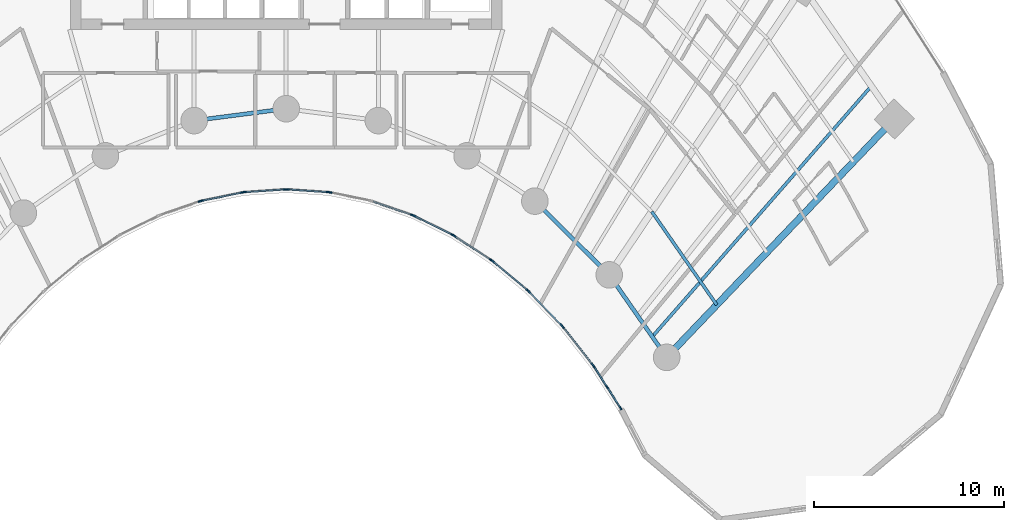
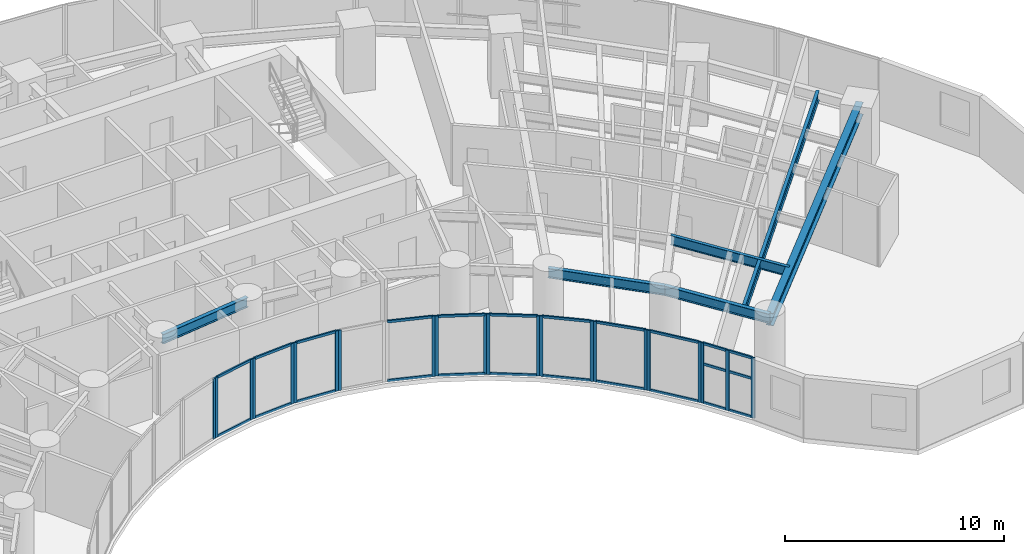
# One storey, part 4 of 17: 46 members, 6 beams, 12 elements without a shape of their own.
"""IFC4 building model written with IfcOpenShell, lengths in metres."""

from ifc_helpers import new_model, si_unit, direction, frame, origin, origin_2d, place, context, subcontext, project, spatial, rectangle, i_section, extrude, source, transform, mapped, material, layer, layer_set, material_profile, profile_set, type_object, type_shapes, element, aggregate, save


model = new_model("IFC4")

# Units and contexts
model_context = context("Model", 3, precision=1e-05, world=origin(), true_north=direction((0.0, 1.0)))
body_context = subcontext(model_context, "Body", "Model", "MODEL_VIEW")
ifc_project = project(units=[si_unit("LENGTHUNIT", "METRE"), si_unit("AREAUNIT", "SQUARE_METRE"), si_unit("VOLUMEUNIT", "CUBIC_METRE"), si_unit("PLANEANGLEUNIT", "RADIAN"), si_unit("MASSUNIT", "GRAM", prefix="KILO")], contexts=[model_context])

# Site, building, storey
site_placement = place(None, origin())
site = spatial("IfcSite", under=ifc_project, at=site_placement, CompositionType="ELEMENT")
building_placement = place(site_placement, origin())
building = spatial("IfcBuilding", under=site, at=building_placement, Name="Breltana Convention Tower", CompositionType="ELEMENT")
storey_placement = place(building_placement, frame((0.0, 0.0, 57.0)))
storey = spatial("IfcBuildingStorey", under=building, at=storey_placement, Name="L12", CompositionType="ELEMENT", Elevation=57.0)

# Beams
ifc_material_1 = material(Name="Steel ASTM A992 Grade 50", Category="steel")
ifc_material_profile_1 = material_profile(ifc_material_1, i_section(OverallWidth=0.35498046875, OverallDepth=0.696044921875, WebThickness=0.015380859375, FlangeThickness=0.02490234375, at=origin_2d()), Name="W27X146")
ifc_profile_set_1 = profile_set([ifc_material_profile_1], Name="Steel ASTM A992 Grade 50")
beam_type_1 = type_object("IfcBeamType", Name="BM-RG-W27X146", PredefinedType="USERDEFINED", material=ifc_profile_set_1)
shared_shape_1 = source(origin(), body_context, "Body", "SweptSolid", [
    extrude(i_section(OverallWidth=0.35498046875, OverallDepth=0.696044921875, WebThickness=0.015380859375, FlangeThickness=0.02490234375, at=origin_2d()), origin(), (0.0, 0.0, 1.0), 17.341064453125),
])
type_shapes(beam_type_1, [shared_shape_1])
beam_1_placement = place(storey_placement, frame((68.015380859375, 42.95458984375, 3.011962890625), z_axis=(0.690716462293, 0.723125693581, 0.0), x_axis=(-0.723125693581, 0.690716462293, 0.0)))
element("IfcBeam", 1, at=beam_1_placement, inside=storey, type_object=beam_type_1, Name="L12 Radial Floor Girder R11", ObjectType="GIRDER", PredefinedType="USERDEFINED", context=body_context, shape_type="MappedRepresentation", body=[
    mapped(shared_shape_1, transform((0.0, 0.0, 0.0), scale=1.0)),
])
ifc_material_profile_2 = material_profile(ifc_material_1, i_section(OverallWidth=0.2099609375, OverallDepth=0.537109375, WebThickness=0.010986328125, FlangeThickness=0.017333984375, at=origin_2d()), Name="W21X68")
ifc_profile_set_2 = profile_set([ifc_material_profile_2], Name="Steel ASTM A992 Grade 50")
beam_type_2 = type_object("IfcBeamType", Name="BM-BM-W21X68", PredefinedType="BEAM", material=ifc_profile_set_2)
shared_shape_2 = source(origin(), body_context, "Body", "SweptSolid", [
    extrude(i_section(OverallWidth=0.2099609375, OverallDepth=0.537109375, WebThickness=0.010986328125, FlangeThickness=0.017333984375, at=origin_2d()), origin(), (0.0, 0.0, 1.0), 4.88671875),
])
beam_2_placement = place(storey_placement, frame((43.153564453125, 55.41064453125, 3.091552734375), z_axis=(0.991780525565, 0.127950729231, 0.0), x_axis=(-0.127950729231, 0.991780525565, 0.0)))
element("IfcBeam", 2, at=beam_2_placement, inside=storey, type_object=beam_type_2, Name="L12 Inner Ring Beam 05", PredefinedType="BEAM", context=body_context, shape_type="MappedRepresentation", body=[
    mapped(shared_shape_2, transform((0.0, 0.0, 0.0), scale=1.0)),
])
shared_shape_3 = source(origin(), body_context, "Body", "SweptSolid", [
    extrude(i_section(OverallWidth=0.2099609375, OverallDepth=0.537109375, WebThickness=0.010986328125, FlangeThickness=0.017333984375, at=origin_2d()), origin(), (0.0, 0.0, 1.0), 5.51171875),
])
beam_3_placement = place(storey_placement, frame((61.08203125, 51.174560546875, 3.091552734375), z_axis=(0.710090360749, -0.704110559196, 0.0), x_axis=(0.704110559196, 0.710090360749, 0.0)))
element("IfcBeam", 3, at=beam_3_placement, inside=storey, type_object=beam_type_2, Name="L12 Inner Ring Beam 09", PredefinedType="BEAM", context=body_context, shape_type="MappedRepresentation", body=[
    mapped(shared_shape_3, transform((0.0, 0.0, 0.0), scale=1.0)),
])
shared_shape_4 = source(origin(), body_context, "Body", "SweptSolid", [
    extrude(i_section(OverallWidth=0.2099609375, OverallDepth=0.537109375, WebThickness=0.010986328125, FlangeThickness=0.017333984375, at=origin_2d()), origin(), (0.0, 0.0, 1.0), 5.286376953125),
])
beam_4_placement = place(storey_placement, frame((64.995849609375, 47.293701171875, 3.091552734375), z_axis=(0.571194382458, -0.82081482531, 0.0), x_axis=(0.82081482531, 0.571194382458, 0.0)))
element("IfcBeam", 4, at=beam_4_placement, inside=storey, type_object=beam_type_2, Name="L12 Inner Ring Beam 10", PredefinedType="BEAM", context=body_context, shape_type="MappedRepresentation", body=[
    mapped(shared_shape_4, transform((0.0, 0.0, 0.0), scale=1.0)),
])
ifc_material_profile_3 = material_profile(ifc_material_1, i_section(OverallWidth=0.166015625, OverallDepth=0.534912109375, WebThickness=0.01025390625, FlangeThickness=0.0166015625, at=origin_2d()), Name="W21X57")
ifc_profile_set_3 = profile_set([ifc_material_profile_3], Name="Steel ASTM A992 Grade 50")
beam_type_3 = type_object("IfcBeamType", Name="BM-JSG-05", PredefinedType="JOIST", material=ifc_profile_set_3)
shared_shape_5 = source(origin(), body_context, "Body", "SweptSolid", [
    extrude(i_section(OverallWidth=0.166015625, OverallDepth=0.534912109375, WebThickness=0.01025390625, FlangeThickness=0.0166015625, at=origin_2d()), origin(), (0.0, 0.0, 1.0), 5.982421875),
])
beam_5_placement = place(storey_placement, frame((67.2333984375, 50.623779296875, 3.092529296875), z_axis=(0.571211549446, -0.82080287876, 0.0), x_axis=(0.82080287876, 0.571211549446, 0.0)))
element("IfcBeam", 5, at=beam_5_placement, inside=storey, type_object=beam_type_3, Name="L12 Composite Floor Joist 10.1", PredefinedType="JOIST", context=body_context, shape_type="MappedRepresentation", body=[
    mapped(shared_shape_5, transform((0.0, 0.0, 0.0), scale=1.0)),
])
shared_shape_6 = source(origin(), body_context, "Body", "SweptSolid", [
    extrude(i_section(OverallWidth=0.166015625, OverallDepth=0.534912109375, WebThickness=0.01025390625, FlangeThickness=0.0166015625, at=origin_2d()), origin(), (0.0, 0.0, 1.0), 17.515625),
])
beam_6_placement = place(storey_placement, frame((67.260498046875, 44.03955078125, 3.092529296875), z_axis=(0.658051548324, 0.752972881151, 0.0), x_axis=(-0.752972881151, 0.658051548324, 0.0)))
element("IfcBeam", 6, at=beam_6_placement, inside=storey, type_object=beam_type_3, Name="L12 Quarter-Bay Radial Trimmer 10", PredefinedType="JOIST", context=body_context, shape_type="MappedRepresentation", body=[
    mapped(shared_shape_6, transform((0.0, 0.0, 0.0), scale=1.0)),
])

# Curtain wall, members
ifc_material_2 = material(Name="Aluminium Anodised Bronze Frame", Category="aluminium")
ifc_layer = layer(ifc_material_2, 0.18994140625, Name="Aluminium Anodised Bronze Frame")
ifc_layer_set = layer_set([ifc_layer], Name="Aluminium Anodised Bronze Frame")
curtain_wall_type = type_object("IfcCurtainWallType", Name="CW-SYS-1", PredefinedType="NOTDEFINED", material=ifc_layer_set)
curtain_wall_1_placement = place(storey_placement, origin())
curtain_wall_1 = element("IfcCurtainWall", 7, at=curtain_wall_1_placement, inside=storey, type_object=curtain_wall_type, Name="L12 inner south-court glazing 3", PredefinedType="NOTDEFINED")
ifc_material_3 = material(Name="Aluminium Anodised Bronze", Category="aluminium")
ifc_material_profile_4 = material_profile(ifc_material_3, rectangle(XDim=0.080078125, YDim=0.139892578125, at=origin_2d()), Name="CWT-80X140")
ifc_profile_set_4 = profile_set([ifc_material_profile_4], Name="Aluminium Anodised Bronze")
member_type_1 = type_object("IfcMemberType", Name="CWT-140", PredefinedType="USERDEFINED", material=ifc_profile_set_4)
shared_shape_7 = source(origin(), body_context, "Body", "SweptSolid", [
    extrude(rectangle(XDim=0.080078125, YDim=0.139892578125, at=origin_2d()), origin(), (0.0, 0.0, 1.0), 2.38720703125),
])
type_shapes(member_type_1, [shared_shape_7])
member_1_placement = place(storey_placement, frame((62.4560546875, 44.667724609375, 0.0400390625), z_axis=(-0.694623715393, 0.719373264734, 0.0), x_axis=(-0.719373264734, -0.694623715393, 0.0)))
member_1 = element("IfcMember", 8, at=member_1_placement, type_object=member_type_1, Name="CW-01 transom 1.1", ObjectType="TRANSOM", PredefinedType="USERDEFINED", context=body_context, shape_type="MappedRepresentation", body=[
    mapped(shared_shape_7, transform((0.0, 0.0, 0.0), scale=1.0)),
])
member_2_placement = place(storey_placement, frame((62.4560546875, 44.667724609375, 3.320068359375), z_axis=(-0.694623715393, 0.719373264734, 0.0), x_axis=(-0.719373264734, -0.694623715393, 0.0)))
member_2 = element("IfcMember", 9, at=member_2_placement, type_object=member_type_1, Name="CW-01 transom 1.2", ObjectType="TRANSOM", PredefinedType="USERDEFINED", context=body_context, shape_type="MappedRepresentation", body=[
    mapped(shared_shape_7, transform((0.0, 0.0, 0.0), scale=1.0)),
])

curtain_wall_2_placement = place(storey_placement, origin())
curtain_wall_2 = element("IfcCurtainWall", 10, at=curtain_wall_2_placement, inside=storey, type_object=curtain_wall_type, Name="L12 inner south-court glazing 4", PredefinedType="NOTDEFINED")
shared_shape_8 = source(origin(), body_context, "Body", "SweptSolid", [
    extrude(rectangle(XDim=0.080078125, YDim=0.139892578125, at=origin_2d()), origin(), (0.0, 0.0, 1.0), 2.312255859375),
])
member_3_placement = place(storey_placement, frame((60.666748046875, 46.5068359375, 0.0400390625), z_axis=(-0.767900974507, 0.640568570374, 0.0), x_axis=(-0.640568570374, -0.767900974507, 0.0)))
member_3 = element("IfcMember", 11, at=member_3_placement, type_object=member_type_1, Name="CW-01 transom 1.1", ObjectType="TRANSOM", PredefinedType="USERDEFINED", context=body_context, shape_type="MappedRepresentation", body=[
    mapped(shared_shape_8, transform((0.0, 0.0, 0.0), scale=1.0)),
])
member_4_placement = place(storey_placement, frame((60.666748046875, 46.5068359375, 3.320068359375), z_axis=(-0.767900974507, 0.640568570374, 0.0), x_axis=(-0.640568570374, -0.767900974507, 0.0)))
member_4 = element("IfcMember", 12, at=member_4_placement, type_object=member_type_1, Name="CW-01 transom 1.2", ObjectType="TRANSOM", PredefinedType="USERDEFINED", context=body_context, shape_type="MappedRepresentation", body=[
    mapped(shared_shape_8, transform((0.0, 0.0, 0.0), scale=1.0)),
])

curtain_wall_3_placement = place(storey_placement, origin())
curtain_wall_3 = element("IfcCurtainWall", 13, at=curtain_wall_3_placement, inside=storey, type_object=curtain_wall_type, Name="L12 inner south-court glazing 5", PredefinedType="NOTDEFINED")
shared_shape_9 = source(origin(), body_context, "Body", "SweptSolid", [
    extrude(rectangle(XDim=0.080078125, YDim=0.139892578125, at=origin_2d()), origin(), (0.0, 0.0, 1.0), 2.2421875),
])
member_5_placement = place(storey_placement, frame((58.746337890625, 48.095458984375, 0.0400390625), z_axis=(-0.835982353773, 0.548756324957, 0.0), x_axis=(-0.548756324957, -0.835982353773, 0.0)))
member_5 = element("IfcMember", 14, at=member_5_placement, type_object=member_type_1, Name="CW-01 transom 1.1", ObjectType="TRANSOM", PredefinedType="USERDEFINED", context=body_context, shape_type="MappedRepresentation", body=[
    mapped(shared_shape_9, transform((0.0, 0.0, 0.0), scale=1.0)),
])
member_6_placement = place(storey_placement, frame((58.746337890625, 48.095458984375, 3.320068359375), z_axis=(-0.835982353773, 0.548756324957, 0.0), x_axis=(-0.548756324957, -0.835982353773, 0.0)))
member_6 = element("IfcMember", 15, at=member_6_placement, type_object=member_type_1, Name="CW-01 transom 1.2", ObjectType="TRANSOM", PredefinedType="USERDEFINED", context=body_context, shape_type="MappedRepresentation", body=[
    mapped(shared_shape_9, transform((0.0, 0.0, 0.0), scale=1.0)),
])

curtain_wall_4_placement = place(storey_placement, origin())
curtain_wall_4 = element("IfcCurtainWall", 16, at=curtain_wall_4_placement, inside=storey, type_object=curtain_wall_type, Name="L12 inner south-court glazing 6", PredefinedType="NOTDEFINED")
shared_shape_10 = source(origin(), body_context, "Body", "SweptSolid", [
    extrude(rectangle(XDim=0.080078125, YDim=0.139892578125, at=origin_2d()), origin(), (0.0, 0.0, 1.0), 2.180908203125),
])
member_7_placement = place(storey_placement, frame((56.71435546875, 49.416015625, 0.0400390625), z_axis=(-0.895922266369, 0.444210865045, 0.0), x_axis=(-0.444210865045, -0.895922266369, 0.0)))
member_7 = element("IfcMember", 17, at=member_7_placement, type_object=member_type_1, Name="CW-01 transom 1.1", ObjectType="TRANSOM", PredefinedType="USERDEFINED", context=body_context, shape_type="MappedRepresentation", body=[
    mapped(shared_shape_10, transform((0.0, 0.0, 0.0), scale=1.0)),
])
member_8_placement = place(storey_placement, frame((56.71435546875, 49.416015625, 3.320068359375), z_axis=(-0.895922266369, 0.444210865045, 0.0), x_axis=(-0.444210865045, -0.895922266369, 0.0)))
member_8 = element("IfcMember", 18, at=member_8_placement, type_object=member_type_1, Name="CW-01 transom 1.2", ObjectType="TRANSOM", PredefinedType="USERDEFINED", context=body_context, shape_type="MappedRepresentation", body=[
    mapped(shared_shape_10, transform((0.0, 0.0, 0.0), scale=1.0)),
])

curtain_wall_5_placement = place(storey_placement, origin())
curtain_wall_5 = element("IfcCurtainWall", 19, at=curtain_wall_5_placement, inside=storey, type_object=curtain_wall_type, Name="L12 inner south-court glazing 9", PredefinedType="NOTDEFINED")
shared_shape_11 = source(origin(), body_context, "Body", "SweptSolid", [
    extrude(rectangle(XDim=0.080078125, YDim=0.139892578125, at=origin_2d()), origin(), (0.0, 0.0, 1.0), 2.07861328125),
])
member_9_placement = place(storey_placement, frame((50.165771484375, 51.6474609375, 0.0400390625), z_axis=(-0.997708627147, 0.067657189691, 0.0), x_axis=(-0.067657189691, -0.997708627147, 0.0)))
member_9 = element("IfcMember", 20, at=member_9_placement, type_object=member_type_1, Name="CW-01 transom 1.1", ObjectType="TRANSOM", PredefinedType="USERDEFINED", context=body_context, shape_type="MappedRepresentation", body=[
    mapped(shared_shape_11, transform((0.0, 0.0, 0.0), scale=1.0)),
])
member_10_placement = place(storey_placement, frame((50.165771484375, 51.6474609375, 3.320068359375), z_axis=(-0.997708627147, 0.067657189691, 0.0), x_axis=(-0.067657189691, -0.997708627147, 0.0)))
member_10 = element("IfcMember", 21, at=member_10_placement, type_object=member_type_1, Name="CW-01 transom 1.2", ObjectType="TRANSOM", PredefinedType="USERDEFINED", context=body_context, shape_type="MappedRepresentation", body=[
    mapped(shared_shape_11, transform((0.0, 0.0, 0.0), scale=1.0)),
])

curtain_wall_6_placement = place(storey_placement, origin())
curtain_wall_6 = element("IfcCurtainWall", 22, at=curtain_wall_6_placement, inside=storey, type_object=curtain_wall_type, Name="L12 inner south-court glazing 10", PredefinedType="NOTDEFINED")
member_11_placement = place(storey_placement, frame((47.907958984375, 51.7880859375, 0.0400390625), z_axis=(-0.997708627147, -0.067657189691, 0.0), x_axis=(0.067657189691, -0.997708627147, 0.0)))
member_11 = element("IfcMember", 23, at=member_11_placement, type_object=member_type_1, Name="CW-01 transom 1.1", ObjectType="TRANSOM", PredefinedType="USERDEFINED", context=body_context, shape_type="MappedRepresentation", body=[
    mapped(shared_shape_11, transform((0.0, 0.0, 0.0), scale=1.0)),
])
member_12_placement = place(storey_placement, frame((47.907958984375, 51.7880859375, 3.320068359375), z_axis=(-0.997708627147, -0.067657189691, 0.0), x_axis=(0.067657189691, -0.997708627147, 0.0)))
member_12 = element("IfcMember", 24, at=member_12_placement, type_object=member_type_1, Name="CW-01 transom 1.2", ObjectType="TRANSOM", PredefinedType="USERDEFINED", context=body_context, shape_type="MappedRepresentation", body=[
    mapped(shared_shape_11, transform((0.0, 0.0, 0.0), scale=1.0)),
])

curtain_wall_7_placement = place(storey_placement, origin())
curtain_wall_7 = element("IfcCurtainWall", 25, at=curtain_wall_7_placement, inside=storey, type_object=curtain_wall_type, Name="L12 inner south-court glazing 2", PredefinedType="NOTDEFINED")
shared_shape_12 = source(origin(), body_context, "Body", "SweptSolid", [
    extrude(rectangle(XDim=0.080078125, YDim=0.139892578125, at=origin_2d()), origin(), (0.0, 0.0, 1.0), 2.4638671875),
])
member_13_placement = place(storey_placement, frame((64.09619140625, 42.5966796875, 0.0400390625), z_axis=(-0.618184689608, 0.786032880695, 0.0), x_axis=(-0.786032880695, -0.618184689608, 0.0)))
member_13 = element("IfcMember", 26, at=member_13_placement, type_object=member_type_1, Name="CW-01 transom 1.1", ObjectType="TRANSOM", PredefinedType="USERDEFINED", context=body_context, shape_type="MappedRepresentation", body=[
    mapped(shared_shape_12, transform((0.0, 0.0, 0.0), scale=1.0)),
])
member_14_placement = place(storey_placement, frame((64.09619140625, 42.5966796875, 3.320068359375), z_axis=(-0.618184689608, 0.786032880695, 0.0), x_axis=(-0.786032880695, -0.618184689608, 0.0)))
member_14 = element("IfcMember", 27, at=member_14_placement, type_object=member_type_1, Name="CW-01 transom 1.2", ObjectType="TRANSOM", PredefinedType="USERDEFINED", context=body_context, shape_type="MappedRepresentation", body=[
    mapped(shared_shape_12, transform((0.0, 0.0, 0.0), scale=1.0)),
])

curtain_wall_8_placement = place(storey_placement, origin())
curtain_wall_8 = element("IfcCurtainWall", 28, at=curtain_wall_8_placement, inside=storey, type_object=curtain_wall_type, Name="L12 inner south-court glazing 1", PredefinedType="NOTDEFINED")
ifc_material_profile_5 = material_profile(ifc_material_3, rectangle(XDim=0.080078125, YDim=0.199951171875, at=origin_2d()), Name="CWM-80X200")
ifc_profile_set_5 = profile_set([ifc_material_profile_5], Name="Aluminium Anodised Bronze")
member_type_2 = type_object("IfcMemberType", Name="CWM-200", PredefinedType="MULLION", material=ifc_profile_set_5)
shared_shape_13 = source(origin(), body_context, "Body", "SweptSolid", [
    extrude(rectangle(XDim=0.080078125, YDim=0.199951171875, at=origin_2d()), origin(), (0.0, 0.0, 1.0), 3.360107421875),
])
member_15_placement = place(storey_placement, frame((65.59228515625, 40.281494140625, 0.0), z_axis=(0.0, 0.0, 1.0), x_axis=(-0.841556194767, -0.540169576197, 0.0)))
member_15 = element("IfcMember", 29, at=member_15_placement, type_object=member_type_2, Name="CW-01 mullion 1", PredefinedType="MULLION", context=body_context, shape_type="MappedRepresentation", body=[
    mapped(shared_shape_13, transform((0.0, 0.0, 0.0), scale=1.0)),
])
member_16_placement = place(storey_placement, frame((64.884765625, 41.3837890625, 0.0), z_axis=(0.0, 0.0, 1.0), x_axis=(-0.841556194767, -0.540169576197, 0.0)))
member_16 = element("IfcMember", 30, at=member_16_placement, type_object=member_type_2, Name="CW-01 mullion 2", PredefinedType="MULLION", context=body_context, shape_type="MappedRepresentation", body=[
    mapped(shared_shape_13, transform((0.0, 0.0, 0.0), scale=1.0)),
])
member_17_placement = place(storey_placement, frame((64.17724609375, 42.48583984375, 0.0), z_axis=(0.0, 0.0, 1.0), x_axis=(-0.841556194767, -0.540169576197, 0.0)))
member_17 = element("IfcMember", 31, at=member_17_placement, type_object=member_type_2, Name="CW-01 mullion 3", PredefinedType="MULLION", context=body_context, shape_type="MappedRepresentation", body=[
    mapped(shared_shape_13, transform((0.0, 0.0, 0.0), scale=1.0)),
])

# Member
member_18_placement = place(storey_placement, frame((64.12109375, 42.565185546875, 0.0), z_axis=(0.0, 0.0, 1.0), x_axis=(-0.786057762734, -0.61815305034, 0.0)))
member_18 = element("IfcMember", 32, at=member_18_placement, type_object=member_type_2, Name="CW-01 mullion 1", PredefinedType="MULLION", context=body_context, shape_type="MappedRepresentation", body=[
    mapped(shared_shape_13, transform((0.0, 0.0, 0.0), scale=1.0)),
])

member_19_placement = place(storey_placement, frame((62.54833984375, 44.56494140625, 0.0), z_axis=(0.0, 0.0, 1.0), x_axis=(-0.786057762734, -0.61815305034, 0.0)))
member_19 = element("IfcMember", 33, at=member_19_placement, type_object=member_type_2, Name="CW-01 mullion 2", PredefinedType="MULLION", context=body_context, shape_type="MappedRepresentation", body=[
    mapped(shared_shape_13, transform((0.0, 0.0, 0.0), scale=1.0)),
])

aggregate(curtain_wall_7, [member_18, member_19, member_13, member_14])

member_20_placement = place(storey_placement, frame((62.48388671875, 44.638916015625, 0.0), z_axis=(0.0, 0.0, 1.0), x_axis=(-0.719384548773, -0.694612029111, 0.0)))
member_20 = element("IfcMember", 34, at=member_20_placement, type_object=member_type_2, Name="CW-01 mullion 1", PredefinedType="MULLION", context=body_context, shape_type="MappedRepresentation", body=[
    mapped(shared_shape_13, transform((0.0, 0.0, 0.0), scale=1.0)),
])

member_21_placement = place(storey_placement, frame((60.77001953125, 46.413818359375, 0.0), z_axis=(0.0, 0.0, 1.0), x_axis=(-0.719384548773, -0.694612029111, 0.0)))
member_21 = element("IfcMember", 35, at=member_21_placement, type_object=member_type_2, Name="CW-01 mullion 2", PredefinedType="MULLION", context=body_context, shape_type="MappedRepresentation", body=[
    mapped(shared_shape_13, transform((0.0, 0.0, 0.0), scale=1.0)),
])

aggregate(curtain_wall_1, [member_20, member_21, member_1, member_2])

member_22_placement = place(storey_placement, frame((60.697265625, 46.481201171875, 0.0), z_axis=(0.0, 0.0, 1.0), x_axis=(-0.640522524458, -0.767939382804, 0.0)))
member_22 = element("IfcMember", 36, at=member_22_placement, type_object=member_type_2, Name="CW-01 mullion 1", PredefinedType="MULLION", context=body_context, shape_type="MappedRepresentation", body=[
    mapped(shared_shape_13, transform((0.0, 0.0, 0.0), scale=1.0)),
])

member_23_placement = place(storey_placement, frame((58.8603515625, 48.013671875, 0.0), z_axis=(0.0, 0.0, 1.0), x_axis=(-0.640522524458, -0.767939382804, 0.0)))
member_23 = element("IfcMember", 37, at=member_23_placement, type_object=member_type_2, Name="CW-01 mullion 2", PredefinedType="MULLION", context=body_context, shape_type="MappedRepresentation", body=[
    mapped(shared_shape_13, transform((0.0, 0.0, 0.0), scale=1.0)),
])

aggregate(curtain_wall_2, [member_22, member_23, member_3, member_4])

member_24_placement = place(storey_placement, frame((58.779541015625, 48.073486328125, 0.0), z_axis=(0.0, 0.0, 1.0), x_axis=(-0.548778278441, -0.835967942634, 0.0)))
member_24 = element("IfcMember", 38, at=member_24_placement, type_object=member_type_2, Name="CW-01 mullion 1", PredefinedType="MULLION", context=body_context, shape_type="MappedRepresentation", body=[
    mapped(shared_shape_13, transform((0.0, 0.0, 0.0), scale=1.0)),
])

member_25_placement = place(storey_placement, frame((56.83837890625, 49.347900390625, 0.0), z_axis=(0.0, 0.0, 1.0), x_axis=(-0.548778278441, -0.835967942634, 0.0)))
member_25 = element("IfcMember", 39, at=member_25_placement, type_object=member_type_2, Name="CW-01 mullion 2", PredefinedType="MULLION", context=body_context, shape_type="MappedRepresentation", body=[
    mapped(shared_shape_13, transform((0.0, 0.0, 0.0), scale=1.0)),
])

aggregate(curtain_wall_3, [member_24, member_25, member_5, member_6])

member_26_placement = place(storey_placement, frame((56.750244140625, 49.3984375, 0.0), z_axis=(0.0, 0.0, 1.0), x_axis=(-0.444117987602, -0.895968310315, 0.0)))
member_26 = element("IfcMember", 40, at=member_26_placement, type_object=member_type_2, Name="CW-01 mullion 1", PredefinedType="MULLION", context=body_context, shape_type="MappedRepresentation", body=[
    mapped(shared_shape_13, transform((0.0, 0.0, 0.0), scale=1.0)),
])

member_27_placement = place(storey_placement, frame((54.724609375, 50.40234375, 0.0), z_axis=(0.0, 0.0, 1.0), x_axis=(-0.444117987602, -0.895968310315, 0.0)))
member_27 = element("IfcMember", 41, at=member_27_placement, type_object=member_type_2, Name="CW-01 mullion 2", PredefinedType="MULLION", context=body_context, shape_type="MappedRepresentation", body=[
    mapped(shared_shape_13, transform((0.0, 0.0, 0.0), scale=1.0)),
])

aggregate(curtain_wall_4, [member_26, member_27, member_7, member_8])

# Curtain wall, member
curtain_wall_9_placement = place(storey_placement, origin())
curtain_wall_9 = element("IfcCurtainWall", 42, at=curtain_wall_9_placement, inside=storey, type_object=curtain_wall_type, Name="L12 inner south-court glazing 7", PredefinedType="NOTDEFINED")
member_28_placement = place(storey_placement, frame((54.6298828125, 50.442138671875, 0.0), z_axis=(0.0, 0.0, 1.0), x_axis=(-0.327413341714, -0.944881211406, 0.0)))
member_28 = element("IfcMember", 43, at=member_28_placement, type_object=member_type_2, Name="CW-01 mullion 1", PredefinedType="MULLION", context=body_context, shape_type="MappedRepresentation", body=[
    mapped(shared_shape_13, transform((0.0, 0.0, 0.0), scale=1.0)),
])

curtain_wall_10_placement = place(storey_placement, origin())
curtain_wall_10 = element("IfcCurtainWall", 44, at=curtain_wall_10_placement, inside=storey, type_object=curtain_wall_type, Name="L12 inner south-court glazing 8", PredefinedType="NOTDEFINED")
member_29_placement = place(storey_placement, frame((50.30859375, 51.630615234375, 0.0), z_axis=(0.0, 0.0, 1.0), x_axis=(-0.200886350278, -0.97961455393, 0.0)))
member_29 = element("IfcMember", 45, at=member_29_placement, type_object=member_type_2, Name="CW-01 mullion 2", PredefinedType="MULLION", context=body_context, shape_type="MappedRepresentation", body=[
    mapped(shared_shape_13, transform((0.0, 0.0, 0.0), scale=1.0)),
])
aggregate(curtain_wall_10, [member_29])

# Member
member_30_placement = place(storey_placement, frame((50.20556640625, 51.644775390625, 0.0), z_axis=(0.0, 0.0, 1.0), x_axis=(-0.067725752326, -0.997703975371, 0.0)))
member_30 = element("IfcMember", 46, at=member_30_placement, type_object=member_type_2, Name="CW-01 mullion 1", PredefinedType="MULLION", context=body_context, shape_type="MappedRepresentation", body=[
    mapped(shared_shape_13, transform((0.0, 0.0, 0.0), scale=1.0)),
])

member_31_placement = place(storey_placement, frame((48.052001953125, 51.790771484375, 0.0), z_axis=(0.0, 0.0, 1.0), x_axis=(-0.067725752326, -0.997703975371, 0.0)))
member_31 = element("IfcMember", 47, at=member_31_placement, type_object=member_type_2, Name="CW-01 mullion 2", PredefinedType="MULLION", context=body_context, shape_type="MappedRepresentation", body=[
    mapped(shared_shape_13, transform((0.0, 0.0, 0.0), scale=1.0)),
])

aggregate(curtain_wall_5, [member_30, member_31, member_9, member_10])

member_32_placement = place(storey_placement, frame((47.947998046875, 51.790771484375, 0.0), z_axis=(0.0, 0.0, 1.0), x_axis=(0.067725752326, -0.997703975371, 0.0)))
member_32 = element("IfcMember", 48, at=member_32_placement, type_object=member_type_2, Name="CW-01 mullion 1", PredefinedType="MULLION", context=body_context, shape_type="MappedRepresentation", body=[
    mapped(shared_shape_13, transform((0.0, 0.0, 0.0), scale=1.0)),
])

member_33_placement = place(storey_placement, frame((45.79443359375, 51.644775390625, 0.0), z_axis=(0.0, 0.0, 1.0), x_axis=(0.067725752326, -0.997703975371, 0.0)))
member_33 = element("IfcMember", 49, at=member_33_placement, type_object=member_type_2, Name="CW-01 mullion 2", PredefinedType="MULLION", context=body_context, shape_type="MappedRepresentation", body=[
    mapped(shared_shape_13, transform((0.0, 0.0, 0.0), scale=1.0)),
])

aggregate(curtain_wall_6, [member_32, member_33, member_11, member_12])

# Curtain wall, members
curtain_wall_11_placement = place(storey_placement, origin())
curtain_wall_11 = element("IfcCurtainWall", 50, at=curtain_wall_11_placement, inside=storey, type_object=curtain_wall_type, Name="L12 inner south-court glazing 11", PredefinedType="NOTDEFINED")
member_34_placement = place(storey_placement, frame((45.69140625, 51.630615234375, 0.0), z_axis=(0.0, 0.0, 1.0), x_axis=(0.200886350278, -0.97961455393, 0.0)))
member_34 = element("IfcMember", 51, at=member_34_placement, type_object=member_type_2, Name="CW-01 mullion 1", PredefinedType="MULLION", context=body_context, shape_type="MappedRepresentation", body=[
    mapped(shared_shape_13, transform((0.0, 0.0, 0.0), scale=1.0)),
])
member_35_placement = place(storey_placement, frame((43.55908203125, 51.193359375, 0.0), z_axis=(0.0, 0.0, 1.0), x_axis=(0.200886350278, -0.97961455393, 0.0)))
member_35 = element("IfcMember", 52, at=member_35_placement, type_object=member_type_2, Name="CW-01 mullion 2", PredefinedType="MULLION", context=body_context, shape_type="MappedRepresentation", body=[
    mapped(shared_shape_13, transform((0.0, 0.0, 0.0), scale=1.0)),
])

# Curtain wall, member
curtain_wall_12_placement = place(storey_placement, origin())
curtain_wall_12 = element("IfcCurtainWall", 53, at=curtain_wall_12_placement, inside=storey, type_object=curtain_wall_type, Name="L12 inner south-court glazing 12", PredefinedType="NOTDEFINED")
member_36_placement = place(storey_placement, frame((43.45947265625, 51.166015625, 0.0), z_axis=(0.0, 0.0, 1.0), x_axis=(0.327413341714, -0.944881211406, 0.0)))
member_36 = element("IfcMember", 54, at=member_36_placement, type_object=member_type_2, Name="CW-01 mullion 1", PredefinedType="MULLION", context=body_context, shape_type="MappedRepresentation", body=[
    mapped(shared_shape_13, transform((0.0, 0.0, 0.0), scale=1.0)),
])
aggregate(curtain_wall_12, [member_36])

# Member
shared_shape_14 = source(origin(), body_context, "Body", "SweptSolid", [
    extrude(rectangle(XDim=0.080078125, YDim=0.139892578125, at=origin_2d()), origin(), (0.0, 0.0, 1.0), 1.229736328125),
])
member_37_placement = place(storey_placement, frame((65.57080078125, 40.315185546875, 0.0400390625), z_axis=(-0.540185543357, 0.841545945714, 0.0), x_axis=(-0.841545945714, -0.540185543357, 0.0)))
member_37 = element("IfcMember", 55, at=member_37_placement, type_object=member_type_1, Name="CW-01 transom 1.1", ObjectType="TRANSOM", PredefinedType="USERDEFINED", context=body_context, shape_type="MappedRepresentation", body=[
    mapped(shared_shape_14, transform((0.0, 0.0, 0.0), scale=1.0)),
])

member_38_placement = place(storey_placement, frame((65.57080078125, 40.315185546875, 2.18408203125), z_axis=(-0.540185543357, 0.841545945714, 0.0), x_axis=(-0.841545945714, -0.540185543357, 0.0)))
member_38 = element("IfcMember", 56, at=member_38_placement, type_object=member_type_1, Name="CW-01 transom 1.2", ObjectType="TRANSOM", PredefinedType="USERDEFINED", context=body_context, shape_type="MappedRepresentation", body=[
    mapped(shared_shape_14, transform((0.0, 0.0, 0.0), scale=1.0)),
])

member_39_placement = place(storey_placement, frame((65.57080078125, 40.315185546875, 3.320068359375), z_axis=(-0.540185543357, 0.841545945714, 0.0), x_axis=(-0.841545945714, -0.540185543357, 0.0)))
member_39 = element("IfcMember", 57, at=member_39_placement, type_object=member_type_1, Name="CW-01 transom 1.3", ObjectType="TRANSOM", PredefinedType="USERDEFINED", context=body_context, shape_type="MappedRepresentation", body=[
    mapped(shared_shape_14, transform((0.0, 0.0, 0.0), scale=1.0)),
])

member_40_placement = place(storey_placement, frame((64.86328125, 41.41748046875, 0.0400390625), z_axis=(-0.540185543357, 0.841545945714, 0.0), x_axis=(-0.841545945714, -0.540185543357, 0.0)))
member_40 = element("IfcMember", 58, at=member_40_placement, type_object=member_type_1, Name="CW-01 transom 2.1", ObjectType="TRANSOM", PredefinedType="USERDEFINED", context=body_context, shape_type="MappedRepresentation", body=[
    mapped(shared_shape_14, transform((0.0, 0.0, 0.0), scale=1.0)),
])

member_41_placement = place(storey_placement, frame((64.86328125, 41.41748046875, 2.18408203125), z_axis=(-0.540185543357, 0.841545945714, 0.0), x_axis=(-0.841545945714, -0.540185543357, 0.0)))
member_41 = element("IfcMember", 59, at=member_41_placement, type_object=member_type_1, Name="CW-01 transom 2.2", ObjectType="TRANSOM", PredefinedType="USERDEFINED", context=body_context, shape_type="MappedRepresentation", body=[
    mapped(shared_shape_14, transform((0.0, 0.0, 0.0), scale=1.0)),
])

member_42_placement = place(storey_placement, frame((64.86328125, 41.41748046875, 3.320068359375), z_axis=(-0.540185543357, 0.841545945714, 0.0), x_axis=(-0.841545945714, -0.540185543357, 0.0)))
member_42 = element("IfcMember", 60, at=member_42_placement, type_object=member_type_1, Name="CW-01 transom 2.3", ObjectType="TRANSOM", PredefinedType="USERDEFINED", context=body_context, shape_type="MappedRepresentation", body=[
    mapped(shared_shape_14, transform((0.0, 0.0, 0.0), scale=1.0)),
])

aggregate(curtain_wall_8, [member_15, member_16, member_17, member_37, member_38, member_39, member_40, member_41, member_42])

shared_shape_15 = source(origin(), body_context, "Body", "SweptSolid", [
    extrude(rectangle(XDim=0.080078125, YDim=0.139892578125, at=origin_2d()), origin(), (0.0, 0.0, 1.0), 2.131103515625),
])
member_43_placement = place(storey_placement, frame((54.592041015625, 50.455078125, 0.0400390625), z_axis=(-0.944847069856, 0.327511854112, 0.0), x_axis=(-0.327511854112, -0.944847069856, 0.0)))
member_43 = element("IfcMember", 61, at=member_43_placement, type_object=member_type_1, Name="CW-01 transom 1.1", ObjectType="TRANSOM", PredefinedType="USERDEFINED", context=body_context, shape_type="MappedRepresentation", body=[
    mapped(shared_shape_15, transform((0.0, 0.0, 0.0), scale=1.0)),
])

member_44_placement = place(storey_placement, frame((54.592041015625, 50.455078125, 3.320068359375), z_axis=(-0.944847069856, 0.327511854112, 0.0), x_axis=(-0.327511854112, -0.944847069856, 0.0)))
member_44 = element("IfcMember", 62, at=member_44_placement, type_object=member_type_1, Name="CW-01 transom 1.2", ObjectType="TRANSOM", PredefinedType="USERDEFINED", context=body_context, shape_type="MappedRepresentation", body=[
    mapped(shared_shape_15, transform((0.0, 0.0, 0.0), scale=1.0)),
])

aggregate(curtain_wall_9, [member_28, member_43, member_44])

shared_shape_16 = source(origin(), body_context, "Body", "SweptSolid", [
    extrude(rectangle(XDim=0.080078125, YDim=0.139892578125, at=origin_2d()), origin(), (0.0, 0.0, 1.0), 2.096435546875),
])
member_45_placement = place(storey_placement, frame((45.652099609375, 51.62255859375, 0.0400390625), z_axis=(-0.979615042233, -0.200883969074, 0.0), x_axis=(0.200883969074, -0.979615042233, 0.0)))
member_45 = element("IfcMember", 63, at=member_45_placement, type_object=member_type_1, Name="CW-01 transom 1.1", ObjectType="TRANSOM", PredefinedType="USERDEFINED", context=body_context, shape_type="MappedRepresentation", body=[
    mapped(shared_shape_16, transform((0.0, 0.0, 0.0), scale=1.0)),
])

member_46_placement = place(storey_placement, frame((45.652099609375, 51.62255859375, 3.320068359375), z_axis=(-0.979615042233, -0.200883969074, 0.0), x_axis=(0.200883969074, -0.979615042233, 0.0)))
member_46 = element("IfcMember", 64, at=member_46_placement, type_object=member_type_1, Name="CW-01 transom 1.2", ObjectType="TRANSOM", PredefinedType="USERDEFINED", context=body_context, shape_type="MappedRepresentation", body=[
    mapped(shared_shape_16, transform((0.0, 0.0, 0.0), scale=1.0)),
])

aggregate(curtain_wall_11, [member_34, member_35, member_45, member_46])

save(model, "model.ifc")
